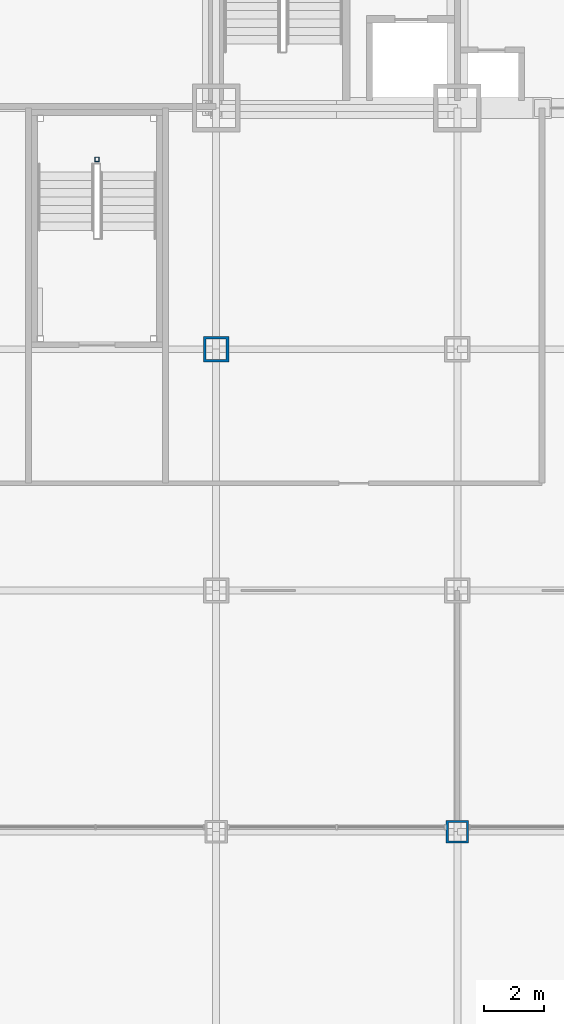
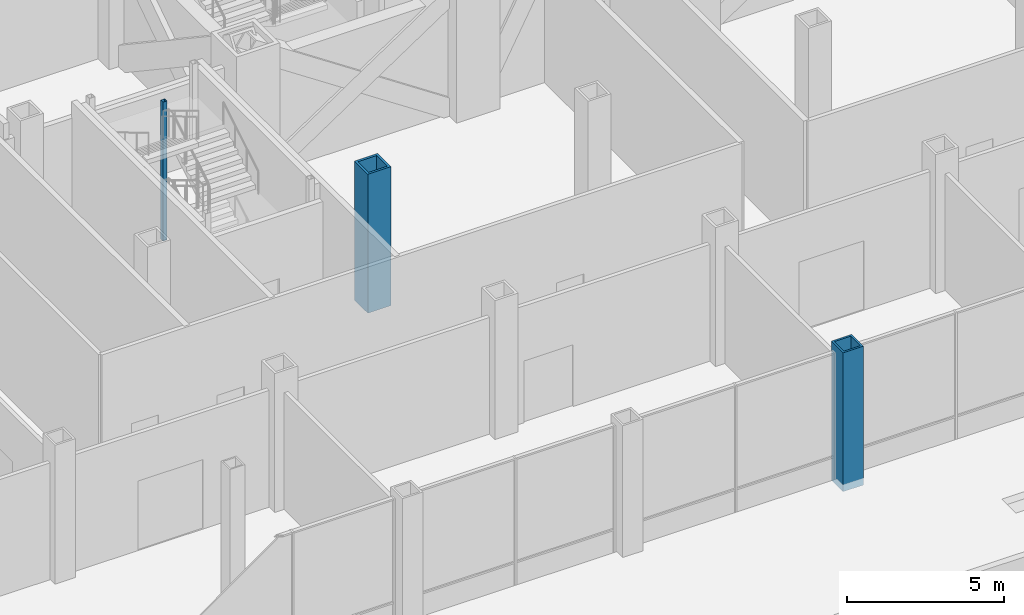
# One storey, part 2 of 29: 3 columns.
"""IFC4 building model written with IfcOpenShell, lengths in metres."""

from ifc_helpers import new_model, si_unit, direction, frame, origin, origin_2d, place, context, subcontext, project, spatial, hollow_rectangle, extrude, material, material_profile, profile_set, type_object, element, save


model = new_model("IFC4")

# Units and contexts
model_context = context("Model", 3, precision=1e-05, world=origin(), true_north=direction((0.0, 1.0)))
body_context = subcontext(model_context, "Body", "Model", "MODEL_VIEW")
ifc_project = project(units=[si_unit("LENGTHUNIT", "METRE"), si_unit("AREAUNIT", "SQUARE_METRE"), si_unit("VOLUMEUNIT", "CUBIC_METRE"), si_unit("PLANEANGLEUNIT", "RADIAN"), si_unit("MASSUNIT", "GRAM", prefix="KILO")], contexts=[model_context])

# Site, building, storey
site_placement = place(None, origin())
site = spatial("IfcSite", under=ifc_project, at=site_placement, CompositionType="ELEMENT")
building_placement = place(site_placement, origin())
building = spatial("IfcBuilding", under=site, at=building_placement, Name="Kopane Lantern Tower", CompositionType="ELEMENT")
storey_placement = place(building_placement, frame((0.0, 0.0, 11.39990234375)))
storey = spatial("IfcBuildingStorey", under=building, at=storey_placement, Name="L02", CompositionType="ELEMENT", Elevation=11.39990234375)

# Columns
ifc_material_1 = material(Name="Steel S355JR", Category="steel")
ifc_material_profile_1 = material_profile(ifc_material_1, hollow_rectangle(XDim=0.75, YDim=0.75, WallThickness=0.070068359375, at=origin_2d()), Name="BOX 750x750x70")
ifc_profile_set_1 = profile_set([ifc_material_profile_1], Name="Steel S355JR")
column_type_1 = type_object("IfcColumnType", Name="COLUMN BOX 750x750x70", PredefinedType="COLUMN", material=ifc_profile_set_1)
column_1_placement = place(storey_placement, frame((24.300048828125, 0.0, 0.0), z_axis=(0.0, 0.0, 1.0), x_axis=(1.0, 0.0, 0.0)))
element("IfcColumn", 1, at=column_1_placement, inside=storey, type_object=column_type_1, Name="Column 5/B L02", PredefinedType="COLUMN", context=body_context, shape_type="SweptSolid", body=[
    extrude(hollow_rectangle(XDim=0.75, YDim=0.75, WallThickness=0.070068359375, at=origin_2d()), origin(), (0.0, 0.0, 1.0), 5.400146484375),
])
ifc_material_2 = material(Name="Steel S355JR", Category="steel")
ifc_material_profile_2 = material_profile(ifc_material_2, hollow_rectangle(XDim=0.85009765625, YDim=0.85009765625, WallThickness=0.0849609375, at=origin_2d()), Name="BOX 850x850x85")
ifc_profile_set_2 = profile_set([ifc_material_profile_2], Name="Steel S355JR")
column_type_2 = type_object("IfcColumnType", Name="COLUMN BOX 850x850x85", PredefinedType="COLUMN", material=ifc_profile_set_2)
column_2_placement = place(storey_placement, frame((16.199951171875, 16.199951171875, 0.0), z_axis=(0.0, 0.0, 1.0), x_axis=(1.0, 0.0, 0.0)))
element("IfcColumn", 2, at=column_2_placement, inside=storey, type_object=column_type_2, Name="Column 4/D L02", PredefinedType="COLUMN", context=body_context, shape_type="SweptSolid", body=[
    extrude(hollow_rectangle(XDim=0.85009765625, YDim=0.85009765625, WallThickness=0.0849609375, at=origin_2d()), origin(), (0.0, 0.0, 1.0), 5.400146484375),
])
ifc_material_3 = material(Name="Steel S355JR", Category="steel")
ifc_material_profile_3 = material_profile(ifc_material_3, hollow_rectangle(XDim=0.14990234375, YDim=0.14990234375, WallThickness=0.010009765625, at=origin_2d()), Name="BOX 150x150x10")
ifc_profile_set_3 = profile_set([ifc_material_profile_3], Name="Steel S355JR")
column_type_3 = type_object("IfcColumnType", Name="STAIR NEWEL POST BOX 150x150x10", PredefinedType="COLUMN", material=ifc_profile_set_3)
column_3_placement = place(storey_placement, frame((12.199951171875, 22.574951171875, 0.0), z_axis=(0.0, 0.0, 1.0), x_axis=(1.0, 0.0, 0.0)))
element("IfcColumn", 3, at=column_3_placement, inside=storey, type_object=column_type_3, Name="Stair newel post ST3 NEWEL L02", PredefinedType="COLUMN", context=body_context, shape_type="SweptSolid", body=[
    extrude(hollow_rectangle(XDim=0.14990234375, YDim=0.14990234375, WallThickness=0.010009765625, at=origin_2d()), origin(), (0.0, 0.0, 1.0), 5.400146484375),
])

save(model, "model.ifc")
